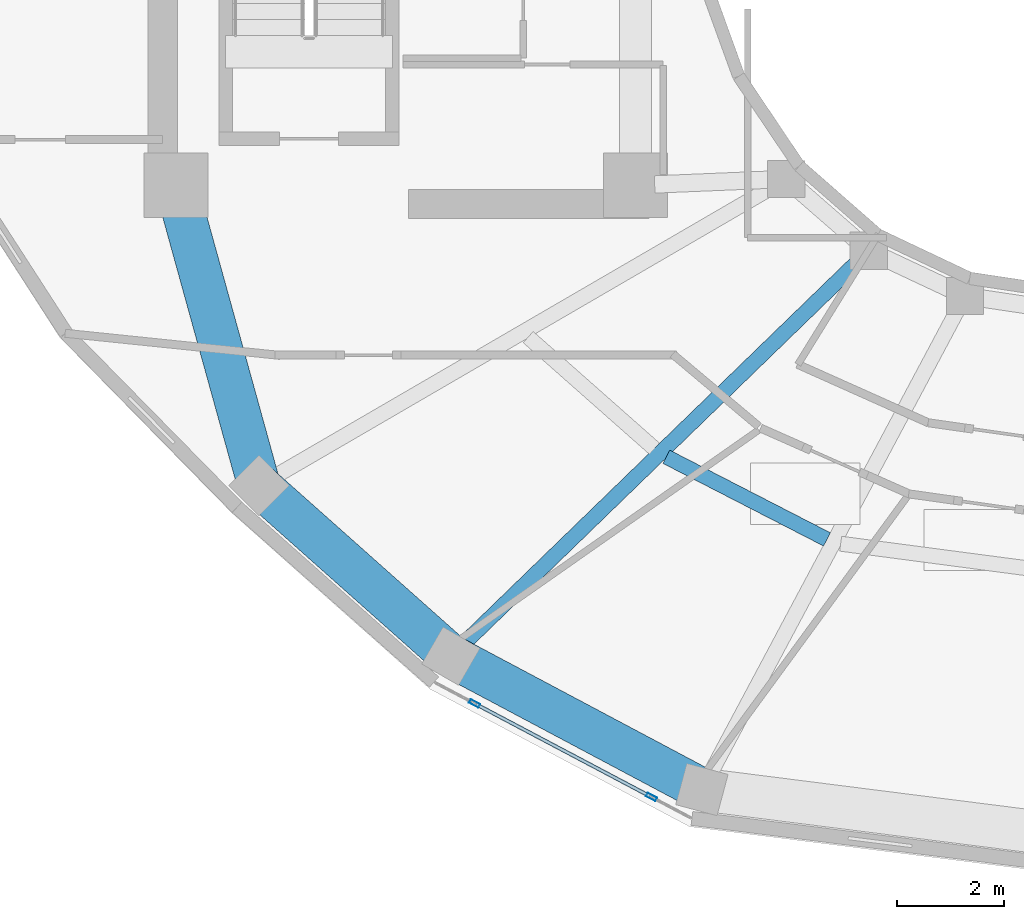
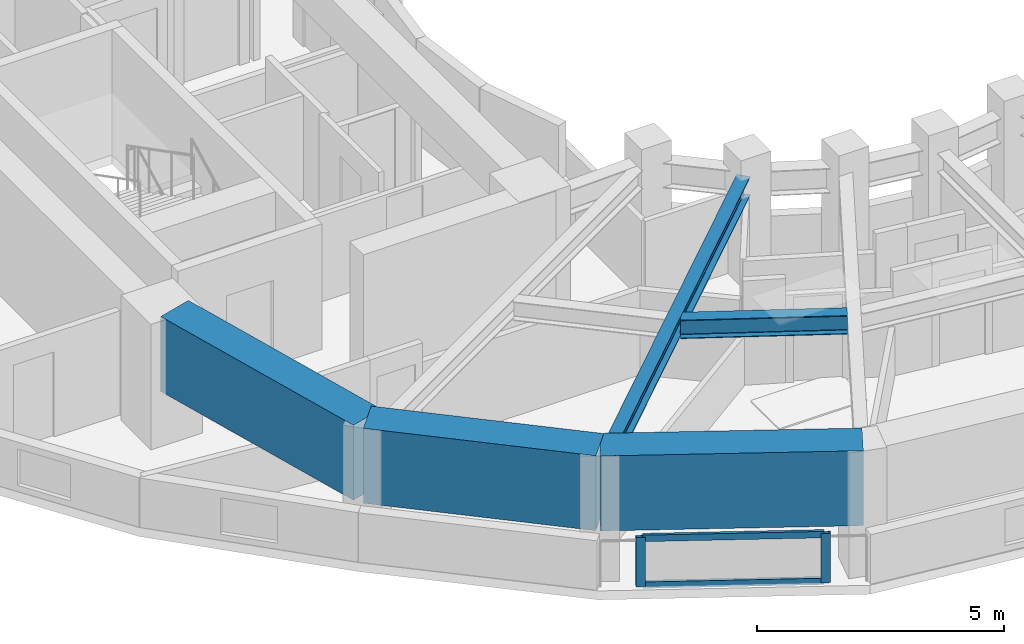
# One storey, part 2 of 17: 5 beams, 4 members, 1 element without a shape of its own.
"""IFC4 building model written with IfcOpenShell, lengths in metres."""

from ifc_helpers import new_model, si_unit, direction, frame, origin, origin_2d, place, context, subcontext, project, spatial, rectangle, hollow_rectangle, i_section, extrude, material, layer, layer_set, material_profile, profile_set, type_object, element, aggregate, save


model = new_model("IFC4")

# Units and contexts
model_context = context("Model", 3, precision=1e-05, world=origin(), true_north=direction((0.0, 1.0)))
body_context = subcontext(model_context, "Body", "Model", "MODEL_VIEW")
ifc_project = project(units=[si_unit("LENGTHUNIT", "METRE"), si_unit("AREAUNIT", "SQUARE_METRE"), si_unit("VOLUMEUNIT", "CUBIC_METRE"), si_unit("PLANEANGLEUNIT", "RADIAN"), si_unit("MASSUNIT", "GRAM", prefix="KILO")], contexts=[model_context])

# Site, building, storey
site_placement = place(None, origin())
site = spatial("IfcSite", under=ifc_project, at=site_placement, CompositionType="ELEMENT")
building_placement = place(site_placement, origin())
building = spatial("IfcBuilding", under=site, at=building_placement, Name="Solvane Sanctuary Tower", CompositionType="ELEMENT")
storey_placement = place(building_placement, frame((0.0, 0.0, 235.699951171875)))
storey = spatial("IfcBuildingStorey", under=building, at=storey_placement, Name="L72", CompositionType="ELEMENT", Elevation=235.699951171875)

# Beams
ifc_material_1 = material(Name="Steel ASTM A992 Grade 50", Category="steel")
ifc_material_profile_1 = material_profile(ifc_material_1, i_section(OverallWidth=0.282958984375, OverallDepth=0.471923828125, WebThickness=0.013671875, FlangeThickness=0.022216796875, FilletRadius=0.013916015625, at=origin_2d()), Name="W18X97")
ifc_profile_set_1 = profile_set([ifc_material_profile_1], Name="Steel ASTM A992 Grade 50")
beam_type_1 = type_object("IfcBeamType", Name="Beam B-RAD-Z4 W18X97", PredefinedType="JOIST", material=ifc_profile_set_1)
beam_1_placement = place(storey_placement, frame((28.069091796875, 15.478515625, 2.362060546875), z_axis=(-0.717931503288, -0.69611375262, 0.0), x_axis=(0.69611375262, -0.717931503288, 0.0)))
element("IfcBeam", 1, at=beam_1_placement, inside=storey, type_object=beam_type_1, Name="L72 Radial Composite Floor Beam 09", PredefinedType="JOIST", context=body_context, shape_type="SweptSolid", body=[
    extrude(i_section(OverallWidth=0.282958984375, OverallDepth=0.471923828125, WebThickness=0.013671875, FlangeThickness=0.022216796875, FilletRadius=0.013916015625, at=origin_2d()), origin(), (0.0, 0.0, 1.0), 10.339599609375),
])
ifc_material_profile_2 = material_profile(ifc_material_1, i_section(OverallWidth=0.280029296875, OverallDepth=0.462890625, WebThickness=0.0107421875, FlangeThickness=0.017333984375, FilletRadius=0.013916015625, at=origin_2d()), Name="W18X76")
ifc_profile_set_2 = profile_set([ifc_material_profile_2], Name="Steel ASTM A992 Grade 50")
beam_type_2 = type_object("IfcBeamType", Name="Beam B-SEC-JOIST W18X76", PredefinedType="JOIST", material=ifc_profile_set_2)
beam_2_placement = place(storey_placement, frame((24.47900390625, 11.8173828125, 2.366455078125), z_axis=(0.88924080122, -0.4574393921, 0.0), x_axis=(0.4574393921, 0.88924080122, 0.0)))
element("IfcBeam", 2, at=beam_2_placement, inside=storey, type_object=beam_type_2, Name="L72 Secondary Circumferential Joist 09-10", PredefinedType="JOIST", context=body_context, shape_type="SweptSolid", body=[
    extrude(i_section(OverallWidth=0.280029296875, OverallDepth=0.462890625, WebThickness=0.0107421875, FlangeThickness=0.017333984375, FilletRadius=0.013916015625, at=origin_2d()), origin(), (0.0, 0.0, 1.0), 3.380615234375),
])
ifc_material_2 = material(Name="Concrete C70/85", Category="concrete")
ifc_material_profile_3 = material_profile(ifc_material_2, rectangle(XDim=0.800048828125, YDim=1.85009765625, at=origin_2d()), Name="RC800X1850")
ifc_profile_set_3 = profile_set([ifc_material_profile_3], Name="Concrete C70/85")
beam_type_3 = type_object("IfcBeamType", Name="Beam B-XFER-BLK RC800X1850", PredefinedType="BEAM", material=ifc_profile_set_3)
beam_3_placement = place(storey_placement, frame((15.39599609375, 16.552978515625, 2.175048828125), z_axis=(0.266626617927, -0.963799899675, 0.0), x_axis=(0.963799899675, 0.266626617927, 0.0)))
element("IfcBeam", 3, at=beam_3_placement, inside=storey, type_object=beam_type_3, Name="L72 Perimeter Step Transfer Ring CW1-NTC08", PredefinedType="BEAM", context=body_context, shape_type="SweptSolid", body=[
    extrude(rectangle(XDim=0.800048828125, YDim=1.85009765625, at=origin_2d()), origin(), (0.0, 0.0, 1.0), 5.471923828125),
])
beam_4_placement = place(storey_placement, frame((16.85498046875, 11.279052734375, 2.175048828125), z_axis=(0.74721302735, -0.664584600904, 0.0), x_axis=(0.664584600904, 0.74721302735, 0.0)))
element("IfcBeam", 4, at=beam_4_placement, inside=storey, type_object=beam_type_3, Name="L72 Perimeter Step Transfer Ring NTC08-NTC09", PredefinedType="BEAM", context=body_context, shape_type="SweptSolid", body=[
    extrude(rectangle(XDim=0.800048828125, YDim=1.85009765625, at=origin_2d()), origin(), (0.0, 0.0, 1.0), 4.80419921875),
])
beam_5_placement = place(storey_placement, frame((20.44482421875, 8.086181640625, 2.175048828125), z_axis=(0.883020065947, -0.469335235343, 0.0), x_axis=(0.469335235343, 0.883020065947, 0.0)))
element("IfcBeam", 5, at=beam_5_placement, inside=storey, type_object=beam_type_3, Name="L72 Perimeter Step Transfer Ring NTC09-NTC10", PredefinedType="BEAM", context=body_context, shape_type="SweptSolid", body=[
    extrude(rectangle(XDim=0.800048828125, YDim=1.85009765625, at=origin_2d()), origin(), (0.0, 0.0, 1.0), 5.321533203125),
])

# Curtain wall, members
ifc_material_3 = material(Name="Anodised Aluminium 6063-T6", Category="aluminium")
ifc_layer = layer(ifc_material_3, 0.18994140625, Name="Anodised Aluminium 6063-T6")
ifc_layer_set = layer_set([ifc_layer], Name="Anodised Aluminium 6063-T6")
curtain_wall_type = type_object("IfcCurtainWallType", Name="Curtain Wall CW-OPER", PredefinedType="NOTDEFINED", material=ifc_layer_set)
curtain_wall_placement = place(storey_placement, origin())
curtain_wall = element("IfcCurtainWall", 6, at=curtain_wall_placement, inside=storey, type_object=curtain_wall_type, Name="L72 CW-OPER Facade Run 16", PredefinedType="NOTDEFINED")
ifc_material_profile_4 = material_profile(ifc_material_3, hollow_rectangle(XDim=0.074951171875, YDim=0.199951171875, WallThickness=0.00390625, at=origin_2d()), Name="ALU200X75X4")
ifc_profile_set_4 = profile_set([ifc_material_profile_4], Name="Anodised Aluminium 6063-T6")
member_type_1 = type_object("IfcMemberType", Name="Member M-CW-MUL-1 ALU200X75X4", PredefinedType="MULLION", material=ifc_profile_set_4)
member_1_placement = place(storey_placement, frame((20.887939453125, 7.199951171875, 0.0), z_axis=(0.0, 0.0, 1.0), x_axis=(0.467523293544, 0.883980752049, 0.0)))
member_1 = element("IfcMember", 7, at=member_1_placement, type_object=member_type_1, Name="CW-OPER mullion 1", PredefinedType="MULLION", context=body_context, shape_type="SweptSolid", body=[
    extrude(hollow_rectangle(XDim=0.074951171875, YDim=0.199951171875, WallThickness=0.00390625, at=origin_2d()), origin(), (0.0, 0.0, 1.0), 1.219970703125),
])
member_2_placement = place(storey_placement, frame((24.198974609375, 5.448974609375, 0.0), z_axis=(0.0, 0.0, 1.0), x_axis=(0.467523293544, 0.883980752049, 0.0)))
member_2 = element("IfcMember", 8, at=member_2_placement, type_object=member_type_1, Name="CW-OPER mullion 2", PredefinedType="MULLION", context=body_context, shape_type="SweptSolid", body=[
    extrude(hollow_rectangle(XDim=0.074951171875, YDim=0.199951171875, WallThickness=0.00390625, at=origin_2d()), origin(), (0.0, 0.0, 1.0), 1.219970703125),
])
ifc_material_profile_5 = material_profile(ifc_material_3, hollow_rectangle(XDim=0.06494140625, YDim=0.159912109375, WallThickness=0.00341796875, at=origin_2d()), Name="ALU160X65X3.5")
ifc_profile_set_5 = profile_set([ifc_material_profile_5], Name="Anodised Aluminium 6063-T6")
member_type_2 = type_object("IfcMemberType", Name="Member M-CW-TRN-1 ALU160X65X3.5", PredefinedType="USERDEFINED", material=ifc_profile_set_5)
member_3_placement = place(storey_placement, frame((20.921142578125, 7.1826171875, 0.032470703125), z_axis=(0.883977140568, -0.467530121975, 0.0), x_axis=(0.467530121975, 0.883977140568, 0.0)))
member_3 = element("IfcMember", 9, at=member_3_placement, type_object=member_type_2, Name="CW-OPER transom 1.1", ObjectType="TRANSOM", PredefinedType="USERDEFINED", context=body_context, shape_type="SweptSolid", body=[
    extrude(hollow_rectangle(XDim=0.06494140625, YDim=0.159912109375, WallThickness=0.00341796875, at=origin_2d()), origin(), (0.0, 0.0, 1.0), 3.67041015625),
])
member_4_placement = place(storey_placement, frame((20.921142578125, 7.1826171875, 1.1875), z_axis=(0.883977140568, -0.467530121975, 0.0), x_axis=(0.467530121975, 0.883977140568, 0.0)))
member_4 = element("IfcMember", 10, at=member_4_placement, type_object=member_type_2, Name="CW-OPER transom 1.2", ObjectType="TRANSOM", PredefinedType="USERDEFINED", context=body_context, shape_type="SweptSolid", body=[
    extrude(hollow_rectangle(XDim=0.06494140625, YDim=0.159912109375, WallThickness=0.00341796875, at=origin_2d()), origin(), (0.0, 0.0, 1.0), 3.67041015625),
])
aggregate(curtain_wall, [member_1, member_2, member_3, member_4])

save(model, "model.ifc")
